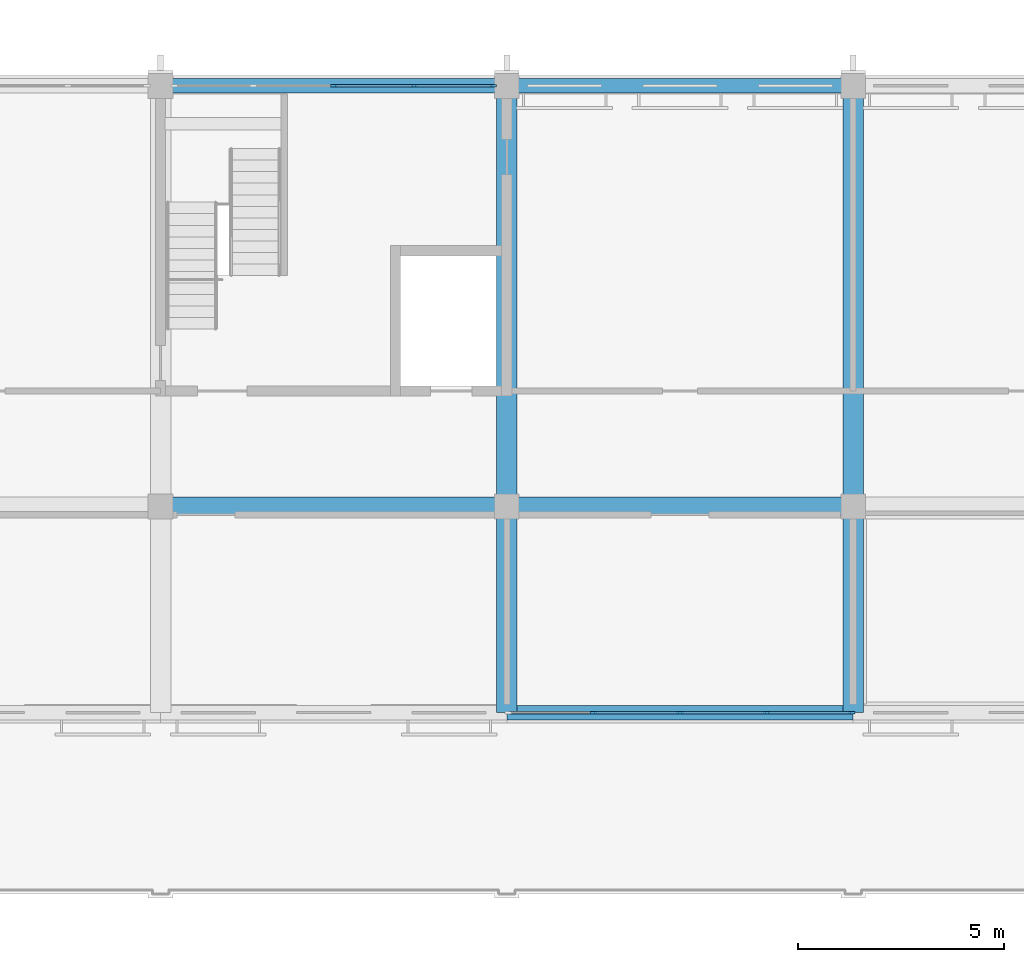
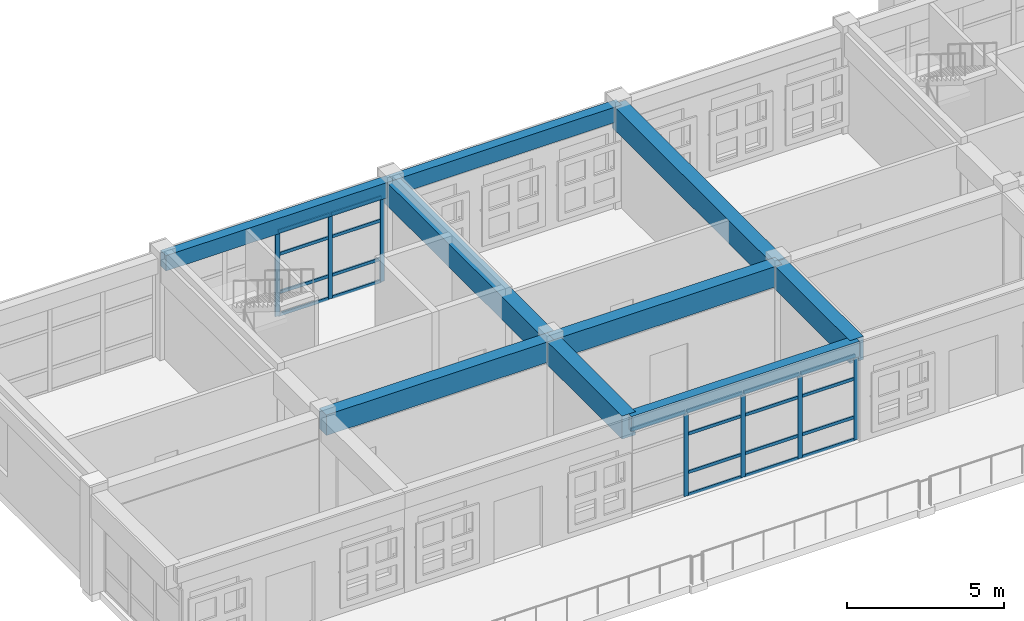
# One storey, part 17 of 71: 28 members, 9 beams, 2 elements without a shape of their own.
"""IFC4 building model written with IfcOpenShell, lengths in metres."""

import ifcopenshell
import ifcopenshell.guid

model = None  # the IFC model being written
_history = None  # IfcOwnerHistory: only IFC2X3 demands one
_inside = {}  # id of a spatial element -> (the spatial element, [elements in it])
_under = {}  # id of a project, library or spatial element -> (it, [spatial elements below it])
_declared = {}  # id of a project -> (the project, [libraries it declares])
_typed = {}  # id of a type object -> (the type object, [elements of that type])
_made_of = {}  # id of a material, layer set ... -> (it, [elements and type objects made of it])


def new_model(schema):
    """Start an empty IFC model of exactly this schema.

    Asked for "IFC4X3", IfcOpenShell would pick the latest addendum, in which some entities
    have other attributes; the version numbers below select the first issue.
    IFC2X3 requires an IfcOwnerHistory on every rooted entity: one is made here for all.
    """
    global model, _history
    if schema == "IFC4X3":
        model = ifcopenshell.file(schema_version=(4, 3, 0, 0))
    else:
        model = ifcopenshell.file(schema=schema)
    _inside.clear()
    _under.clear()
    _declared.clear()
    _typed.clear()
    _made_of.clear()
    _history = None
    if model.schema == "IFC2X3":
        org = make("IfcOrganization", Name="unknown")
        user = make(
            "IfcPersonAndOrganization",
            ThePerson=make("IfcPerson", FamilyName="unknown"),
            TheOrganization=org,
        )
        app = make(
            "IfcApplication",
            ApplicationDeveloper=org,
            Version="unknown",
            ApplicationFullName="unknown",
            ApplicationIdentifier="unknown",
        )
        _history = make(
            "IfcOwnerHistory",
            OwningUser=user,
            OwningApplication=app,
            ChangeAction="ADDED",
            CreationDate=0,
        )
    return model


def make(cls, **values):
    """One entity of the class cls with the attributes given. An attribute that is None is left unset."""
    return model.create_entity(
        cls, **{name: value for name, value in values.items() if value is not None}
    )


def rooted(cls, **values):
    """An entity with a GlobalId (a new one), such as an element, a storey or a relation."""
    return make(cls, GlobalId=ifcopenshell.guid.new(), OwnerHistory=_history, **values)


def si_unit(unit_type, name, prefix=None):
    """IfcSIUnit, for example si_unit("LENGTHUNIT", "METRE", prefix="MILLI")."""
    return make("IfcSIUnit", UnitType=unit_type, Prefix=prefix, Name=name)


def assignment(units):
    """IfcUnitAssignment: the units of a project."""
    return None if units is None else make("IfcUnitAssignment", Units=units)


def point(xyz):
    """IfcCartesianPoint."""
    return None if xyz is None else make("IfcCartesianPoint", Coordinates=xyz)


def direction(xyz):
    """IfcDirection."""
    return None if xyz is None else make("IfcDirection", DirectionRatios=xyz)


def frame(location, z_axis=None, x_axis=None):
    """IfcAxis2Placement3D, a coordinate frame: its origin and axes. An axis left out is left unset."""
    return make(
        "IfcAxis2Placement3D",
        Location=point(location),
        Axis=direction(z_axis),
        RefDirection=direction(x_axis),
    )


def frame_2d(location, x_axis=None):
    """IfcAxis2Placement2D, a coordinate frame in the plane: its origin and x axis."""
    return make(
        "IfcAxis2Placement2D", Location=point(location), RefDirection=direction(x_axis)
    )


def origin():
    """The frame at (0, 0, 0) with its axes left unset."""
    return frame((0.0, 0.0, 0.0))


def origin_2d():
    """The frame at (0, 0) in the plane with its x axis left unset."""
    return frame_2d((0.0, 0.0))


def place(relative_to, where):
    """IfcLocalPlacement: puts the frame where relative to a parent placement (None: the world)."""
    return make(
        "IfcLocalPlacement", PlacementRelTo=relative_to, RelativePlacement=where
    )


def context(
    kind, dimensions, precision=None, world=None, true_north=None, identifier=None
):
    """IfcGeometricRepresentationContext, for example the 3D "Model" context."""
    return make(
        "IfcGeometricRepresentationContext",
        ContextIdentifier=identifier,
        ContextType=kind,
        CoordinateSpaceDimension=dimensions,
        Precision=precision,
        WorldCoordinateSystem=world,
        TrueNorth=true_north,
    )


def subcontext(parent, identifier, kind, view, scale=None):
    """IfcGeometricRepresentationSubContext, for example "Body" below "Model"."""
    return make(
        "IfcGeometricRepresentationSubContext",
        ContextIdentifier=identifier,
        ContextType=kind,
        ParentContext=parent,
        TargetScale=scale,
        TargetView=view,
    )


def project(units=None, contexts=None):
    """IfcProject with its units and contexts."""
    return rooted(
        "IfcProject",
        Name="project",
        RepresentationContexts=contexts,
        UnitsInContext=assignment(units),
    )


def spatial(cls, under=None, at=None, **own):
    """A site, building, storey or space (cls), placed at a placement, below another one or the project."""
    s = rooted(cls, ObjectPlacement=at, **own)
    if under is not None:
        _under.setdefault(under.id(), (under, []))[1].append(s)
    return s


def profile(cls, at=None, kind="AREA", **sizes):
    """A parametric profile (cls). Its sizes go by their IFC names, for example OverallWidth=200.0."""
    return make(cls, ProfileType=kind, Position=at, **sizes)


def rectangle(**sizes):
    """IfcRectangleProfileDef."""
    return profile("IfcRectangleProfileDef", **sizes)


def extrude(swept, where, along, depth):
    """IfcExtrudedAreaSolid: the profile swept, set in the frame where, extruded along a direction by depth."""
    return make(
        "IfcExtrudedAreaSolid",
        SweptArea=swept,
        Position=where,
        ExtrudedDirection=direction(along),
        Depth=depth,
    )


def shape(context_of_items, identifier, shape_type, items):
    """IfcShapeRepresentation: the items that make up one representation, for example the "Body"."""
    return make(
        "IfcShapeRepresentation",
        ContextOfItems=context_of_items,
        RepresentationIdentifier=identifier,
        RepresentationType=shape_type,
        Items=items,
    )


def material(Name=None, Category=None):
    """IfcMaterial."""
    return make("IfcMaterial", Name=Name, Category=Category)


def layer(
    of_material, thickness, ventilated=None, Name=None, Category=None, Priority=None
):
    """IfcMaterialLayer: one layer of a wall or slab, of a material (None: an air gap)."""
    return make(
        "IfcMaterialLayer",
        Material=of_material,
        LayerThickness=thickness,
        IsVentilated=ventilated,
        Name=Name,
        Category=Category,
        Priority=Priority,
    )


def layer_set(layers, Name=None):
    """IfcMaterialLayerSet."""
    return make("IfcMaterialLayerSet", MaterialLayers=layers, LayerSetName=Name)


def material_profile(
    of_material, cross_section, Name=None, Category=None, Priority=None
):
    """IfcMaterialProfile: a cross section and its material."""
    return make(
        "IfcMaterialProfile",
        Name=Name,
        Material=of_material,
        Profile=cross_section,
        Priority=Priority,
        Category=Category,
    )


def profile_set(profiles, Name=None, composite=None):
    """IfcMaterialProfileSet."""
    return make(
        "IfcMaterialProfileSet",
        Name=Name,
        MaterialProfiles=profiles,
        CompositeProfile=composite,
    )


def made_of(thing, what):
    """Note that an element or type object is made of a material, layer set ...; save() writes the relation."""
    if what is not None:
        _made_of.setdefault(what.id(), (what, []))[1].append(thing)
    return thing


def type_object(cls, material=None, **own):
    """A type object (cls), such as IfcWallType, which elements share."""
    return made_of(rooted(cls, **own), material)


def element(
    cls,
    number,
    at=None,
    inside=None,
    cuts=None,
    type_object=None,
    material=None,
    context=None,
    identifier="Body",
    shape_type=None,
    held_by="IfcProductDefinitionShape",
    body=None,
    shapes=None,
    **own,
):
    """One element of the class cls, such as IfcWall. Its Tag is "e" and its number.

    at: its placement. inside: the storey or other place that contains it. cuts: it is an
    opening in that element (IfcRelVoidsElement). A single representation is given by context,
    identifier, shape_type and body (its items); several are given by shapes. held_by: the class
    of the entity that holds the representations. save() writes the other relations.
    """
    e = rooted(cls, Tag="e%d" % number, ObjectPlacement=at, **own)
    if body is not None:
        shapes = [shape(context, identifier, shape_type, body)]
    if shapes is not None:
        e.Representation = make(held_by, Representations=shapes)
    if inside is not None:
        _inside.setdefault(inside.id(), (inside, []))[1].append(e)
    if cuts is not None:
        rooted(
            "IfcRelVoidsElement", RelatingBuildingElement=cuts, RelatedOpeningElement=e
        )
    if type_object is not None:
        _typed.setdefault(type_object.id(), (type_object, []))[1].append(e)
    return made_of(e, material)


def aggregate(whole, parts):
    """IfcRelAggregates: a whole, such as a stair, and the parts it consists of."""
    return rooted("IfcRelAggregates", RelatingObject=whole, RelatedObjects=parts)


def save(model, path):
    """Write the relations noted so far, then the file.

    IfcRelAggregates (storeys below a building ...), IfcRelContainedInSpatialStructure (elements
    in a storey), IfcRelDefinesByType, IfcRelAssociatesMaterial and IfcRelDeclares: one each for
    every whole, place, type object, material and project.
    """
    for whole, parts in _under.values():
        aggregate(whole, parts)
    for where, things in _inside.values():
        rooted(
            "IfcRelContainedInSpatialStructure",
            RelatedElements=things,
            RelatingStructure=where,
        )
    for kind, things in _typed.values():
        rooted("IfcRelDefinesByType", RelatedObjects=things, RelatingType=kind)
    for what, things in _made_of.values():
        rooted("IfcRelAssociatesMaterial", RelatedObjects=things, RelatingMaterial=what)
    for by, libraries in _declared.values():
        rooted("IfcRelDeclares", RelatingContext=by, RelatedDefinitions=libraries)
    model.write(path)


model = new_model("IFC4")

# Units and contexts
model_context = context("Model", 3, precision=1e-05, world=origin(), true_north=direction((0.0, 1.0)))
body_context = subcontext(model_context, "Body", "Model", "MODEL_VIEW")
ifc_project = project(units=[si_unit("LENGTHUNIT", "METRE"), si_unit("AREAUNIT", "SQUARE_METRE"), si_unit("VOLUMEUNIT", "CUBIC_METRE"), si_unit("PLANEANGLEUNIT", "RADIAN"), si_unit("MASSUNIT", "GRAM", prefix="KILO")], contexts=[model_context])

# Site, building, storey
site_placement = place(None, origin())
site = spatial("IfcSite", under=ifc_project, at=site_placement, CompositionType="ELEMENT")
building_placement = place(site_placement, origin())
building = spatial("IfcBuilding", under=site, at=building_placement, Name="Wasatch Bagh Community Centre", CompositionType="ELEMENT")
storey_placement = place(building_placement, frame((0.0, 0.0, 12.60009765625)))
storey = spatial("IfcBuildingStorey", under=building, at=storey_placement, Name="L03", CompositionType="ELEMENT", Elevation=12.60009765625)

# Beams
ifc_material_1 = material(Name="Concrete C35", Category="concrete")
ifc_material_profile_1 = material_profile(ifc_material_1, rectangle(XDim=0.35009765625, YDim=0.60009765625, at=origin_2d()), Name="RC 350x600")
ifc_profile_set_1 = profile_set([ifc_material_profile_1], Name="Concrete C35")
beam_type_1 = type_object("IfcBeamType", Name="LW RC 350x600", PredefinedType="BEAM", material=ifc_profile_set_1)
beam_1_placement = place(storey_placement, frame((80.800048828125, 97.800048828125, 3.619873046875), z_axis=(1.0, 0.0, 0.0), x_axis=(0.0, 1.0, 0.0)))
element("IfcBeam", 1, at=beam_1_placement, inside=storey, type_object=beam_type_1, Name="W3-W4N", PredefinedType="BEAM", context=body_context, shape_type="SweptSolid", body=[
    extrude(rectangle(XDim=0.35009765625, YDim=0.60009765625, at=origin_2d()), origin(), (0.0, 0.0, 1.0), 8.39990234375),
])
for number, where, z_axis, x_axis, name in (
    (2, (89.199951171875, 97.800048828125, 3.619873046875), (1.0, 0.0, 0.0), (0.0, 1.0, 0.0), "W4-W5N"),
    (3, (89.199951171875, 82.60009765625, 3.619873046875), (1.0, 0.0, 0.0), (0.0, 1.0, 0.0), "W4-W5tip"),
):
    element("IfcBeam", number, at=place(storey_placement, frame(where, z_axis=z_axis, x_axis=x_axis)), inside=storey, type_object=beam_type_1, Name=name, PredefinedType="BEAM", context=body_context, shape_type="SweptSolid", body=[
        extrude(rectangle(XDim=0.35009765625, YDim=0.60009765625, at=origin_2d()), origin(), (0.0, 0.0, 1.0), 8.400146484375),
    ])
ifc_material_profile_2 = material_profile(ifc_material_1, rectangle(XDim=0.449951171875, YDim=0.800048828125, at=origin_2d()), Name="RC 450x800")
ifc_profile_set_2 = profile_set([ifc_material_profile_2], Name="Concrete C35")
beam_type_2 = type_object("IfcBeamType", Name="LW RC 450x800", PredefinedType="BEAM", material=ifc_profile_set_2)
beam_2_placement = place(storey_placement, frame((80.800048828125, 87.60009765625, 3.52001953125), z_axis=(1.0, 0.0, 0.0), x_axis=(0.0, 1.0, 0.0)))
element("IfcBeam", 4, at=beam_2_placement, inside=storey, type_object=beam_type_2, Name="W3-W4M", PredefinedType="BEAM", context=body_context, shape_type="SweptSolid", body=[
    extrude(rectangle(XDim=0.449951171875, YDim=0.800048828125, at=origin_2d()), origin(), (0.0, 0.0, 1.0), 8.39990234375),
])
beam_3_placement = place(storey_placement, frame((89.199951171875, 87.60009765625, 3.52001953125), z_axis=(1.0, 0.0, 0.0), x_axis=(0.0, 1.0, 0.0)))
element("IfcBeam", 5, at=beam_3_placement, inside=storey, type_object=beam_type_2, Name="W4-W5M", PredefinedType="BEAM", context=body_context, shape_type="SweptSolid", body=[
    extrude(rectangle(XDim=0.449951171875, YDim=0.800048828125, at=origin_2d()), origin(), (0.0, 0.0, 1.0), 8.400146484375),
])
ifc_material_profile_3 = material_profile(ifc_material_1, rectangle(XDim=0.5, YDim=0.89990234375, at=origin_2d()), Name="RC 500x900")
ifc_profile_set_3 = profile_set([ifc_material_profile_3], Name="Concrete C35")
beam_type_3 = type_object("IfcBeamType", Name="LW RC 500x900", PredefinedType="BEAM", material=ifc_profile_set_3)
for number, where, z_axis, x_axis, name in (
    (6, (89.199951171875, 87.60009765625, 3.469970703125), (0.0, 1.0, 0.0), (-1.0, 0.0, 0.0), "W4M-N"),
    (7, (97.60009765625, 87.60009765625, 3.469970703125), (0.0, 1.0, 0.0), (-1.0, 0.0, 0.0), "W5M-N"),
):
    element("IfcBeam", number, at=place(storey_placement, frame(where, z_axis=z_axis, x_axis=x_axis)), inside=storey, type_object=beam_type_3, Name=name, PredefinedType="BEAM", context=body_context, shape_type="SweptSolid", body=[
        extrude(rectangle(XDim=0.5, YDim=0.89990234375, at=origin_2d()), origin(), (0.0, 0.0, 1.0), 10.199951171875),
    ])
for number, where, z_axis, x_axis, name in (
    (8, (89.199951171875, 87.60009765625, 3.469970703125), (0.0, -1.0, 0.0), (1.0, 0.0, 0.0), "W4M-tip"),
    (9, (97.60009765625, 87.60009765625, 3.469970703125), (0.0, -1.0, 0.0), (1.0, 0.0, 0.0), "W5M-tip"),
):
    element("IfcBeam", number, at=place(storey_placement, frame(where, z_axis=z_axis, x_axis=x_axis)), inside=storey, type_object=beam_type_3, Name=name, PredefinedType="BEAM", context=body_context, shape_type="SweptSolid", body=[
        extrude(rectangle(XDim=0.5, YDim=0.89990234375, at=origin_2d()), origin(), (0.0, 0.0, 1.0), 5.0),
    ])

# Curtain wall, members
ifc_material_2 = material(Name="Aluminium curtain wall frame with low-iron glass", Category="aluminium")
ifc_layer_1 = layer(ifc_material_2, 0.10009765625)
ifc_layer_set_1 = layer_set([ifc_layer_1], Name="Aluminium curtain wall frame with low-iron glass")
curtain_wall_type_1 = type_object("IfcCurtainWallType", Name="LW curtain wall 100", PredefinedType="NOTDEFINED", material=ifc_layer_set_1)
curtain_wall_1_placement = place(storey_placement, origin())
curtain_wall_1 = element("IfcCurtainWall", 10, at=curtain_wall_1_placement, inside=storey, type_object=curtain_wall_type_1, Name="Curtain wall 03.03", PredefinedType="NOTDEFINED")
ifc_material_3 = material(Name="Aluminium extrusion", Category="aluminium")
ifc_material_profile_4 = material_profile(ifc_material_3, rectangle(XDim=0.06005859375, YDim=0.159912109375, at=origin_2d()), Name="AL 60x160")
ifc_profile_set_4 = profile_set([ifc_material_profile_4], Name="Aluminium extrusion")
member_type_1 = type_object("IfcMemberType", Name="LW curtain wall mullion 60x160", PredefinedType="MULLION", material=ifc_profile_set_4)
member_1_placement = place(storey_placement, frame((85.0, 97.800048828125, 0.0), z_axis=(0.0, 0.0, 1.0), x_axis=(0.0, 1.0, 0.0)))
member_1 = element("IfcMember", 11, at=member_1_placement, type_object=member_type_1, Name="LW-CW1 mullion 3", PredefinedType="MULLION", context=body_context, shape_type="SweptSolid", body=[
    extrude(rectangle(XDim=0.06005859375, YDim=0.159912109375, at=origin_2d()), origin(), (0.0, 0.0, 1.0), 3.31982421875),
])
member_2_placement = place(storey_placement, frame((86.949951171875, 97.800048828125, 0.0), z_axis=(0.0, 0.0, 1.0), x_axis=(0.0, 1.0, 0.0)))
member_2 = element("IfcMember", 12, at=member_2_placement, type_object=member_type_1, Name="LW-CW1 mullion 4", PredefinedType="MULLION", context=body_context, shape_type="SweptSolid", body=[
    extrude(rectangle(XDim=0.06005859375, YDim=0.159912109375, at=origin_2d()), origin(), (0.0, 0.0, 1.0), 3.31982421875),
])
member_3_placement = place(storey_placement, frame((88.8701171875, 97.800048828125, 0.0), z_axis=(0.0, 0.0, 1.0), x_axis=(0.0, 1.0, 0.0)))
member_3 = element("IfcMember", 13, at=member_3_placement, type_object=member_type_1, Name="LW-CW1 mullion 5", PredefinedType="MULLION", context=body_context, shape_type="SweptSolid", body=[
    extrude(rectangle(XDim=0.06005859375, YDim=0.159912109375, at=origin_2d()), origin(), (0.0, 0.0, 1.0), 3.31982421875),
])

ifc_layer_2 = layer(ifc_material_2, 0.139892578125)
ifc_layer_set_2 = layer_set([ifc_layer_2], Name="Aluminium curtain wall frame with low-iron glass")
curtain_wall_type_2 = type_object("IfcCurtainWallType", Name="LW terrace front curtain wall 140", PredefinedType="NOTDEFINED", material=ifc_layer_set_2)
curtain_wall_2_placement = place(storey_placement, origin())
curtain_wall_2 = element("IfcCurtainWall", 14, at=curtain_wall_2_placement, inside=storey, type_object=curtain_wall_type_2, Name="Curtain wall 03.01", PredefinedType="NOTDEFINED")
ifc_material_profile_5 = material_profile(ifc_material_3, rectangle(XDim=0.06005859375, YDim=0.159912109375, at=origin_2d()), Name="AL 60x160")
ifc_profile_set_5 = profile_set([ifc_material_profile_5], Name="Aluminium extrusion")
member_type_2 = type_object("IfcMemberType", Name="LW curtain wall mullion 60x160 LW-CW3", PredefinedType="MULLION", material=ifc_profile_set_5)
member_4_placement = place(storey_placement, frame((91.300048828125, 82.60009765625, 0.0), z_axis=(0.0, 0.0, 1.0), x_axis=(0.0, 1.0, 0.0)))
member_4 = element("IfcMember", 15, at=member_4_placement, type_object=member_type_2, Name="LW-CW3 mullion 2", PredefinedType="MULLION", context=body_context, shape_type="SweptSolid", body=[
    extrude(rectangle(XDim=0.06005859375, YDim=0.159912109375, at=origin_2d()), origin(), (0.0, 0.0, 1.0), 3.31982421875),
])
member_5_placement = place(storey_placement, frame((93.39990234375, 82.60009765625, 0.0), z_axis=(0.0, 0.0, 1.0), x_axis=(0.0, 1.0, 0.0)))
member_5 = element("IfcMember", 16, at=member_5_placement, type_object=member_type_2, Name="LW-CW3 mullion 3", PredefinedType="MULLION", context=body_context, shape_type="SweptSolid", body=[
    extrude(rectangle(XDim=0.06005859375, YDim=0.159912109375, at=origin_2d()), origin(), (0.0, 0.0, 1.0), 3.31982421875),
])
member_6_placement = place(storey_placement, frame((95.5, 82.60009765625, 0.0), z_axis=(0.0, 0.0, 1.0), x_axis=(0.0, 1.0, 0.0)))
member_6 = element("IfcMember", 17, at=member_6_placement, type_object=member_type_2, Name="LW-CW3 mullion 4", PredefinedType="MULLION", context=body_context, shape_type="SweptSolid", body=[
    extrude(rectangle(XDim=0.06005859375, YDim=0.159912109375, at=origin_2d()), origin(), (0.0, 0.0, 1.0), 3.31982421875),
])
member_7_placement = place(storey_placement, frame((97.570068359375, 82.60009765625, 0.0), z_axis=(0.0, 0.0, 1.0), x_axis=(0.0, 1.0, 0.0)))
member_7 = element("IfcMember", 18, at=member_7_placement, type_object=member_type_2, Name="LW-CW3 mullion 5", PredefinedType="MULLION", context=body_context, shape_type="SweptSolid", body=[
    extrude(rectangle(XDim=0.06005859375, YDim=0.159912109375, at=origin_2d()), origin(), (0.0, 0.0, 1.0), 3.31982421875),
])

# Member
ifc_material_profile_6 = material_profile(ifc_material_3, rectangle(XDim=0.06005859375, YDim=0.1201171875, at=origin_2d()), Name="AL 60x120")
ifc_profile_set_6 = profile_set([ifc_material_profile_6], Name="Aluminium extrusion")
member_type_3 = type_object("IfcMemberType", Name="LW curtain wall transom 60x120", PredefinedType="USERDEFINED", material=ifc_profile_set_6)
member_8_placement = place(storey_placement, frame((85.030029296875, 97.800048828125, 0.02978515625), z_axis=(1.0, 0.0, 0.0), x_axis=(0.0, 1.0, 0.0)))
member_8 = element("IfcMember", 19, at=member_8_placement, type_object=member_type_3, Name="LW-CW1 transom 3.1", ObjectType="TRANSOM", PredefinedType="USERDEFINED", context=body_context, shape_type="SweptSolid", body=[
    extrude(rectangle(XDim=0.06005859375, YDim=0.1201171875, at=origin_2d()), origin(), (0.0, 0.0, 1.0), 1.889892578125),
])

member_9_placement = place(storey_placement, frame((85.030029296875, 97.800048828125, 0.89990234375), z_axis=(1.0, 0.0, 0.0), x_axis=(0.0, 1.0, 0.0)))
member_9 = element("IfcMember", 20, at=member_9_placement, type_object=member_type_3, Name="LW-CW1 transom 3.2", ObjectType="TRANSOM", PredefinedType="USERDEFINED", context=body_context, shape_type="SweptSolid", body=[
    extrude(rectangle(XDim=0.06005859375, YDim=0.1201171875, at=origin_2d()), origin(), (0.0, 0.0, 1.0), 1.889892578125),
])

member_10_placement = place(storey_placement, frame((85.030029296875, 97.800048828125, 2.39990234375), z_axis=(1.0, 0.0, 0.0), x_axis=(0.0, 1.0, 0.0)))
member_10 = element("IfcMember", 21, at=member_10_placement, type_object=member_type_3, Name="LW-CW1 transom 3.3", ObjectType="TRANSOM", PredefinedType="USERDEFINED", context=body_context, shape_type="SweptSolid", body=[
    extrude(rectangle(XDim=0.06005859375, YDim=0.1201171875, at=origin_2d()), origin(), (0.0, 0.0, 1.0), 1.889892578125),
])

member_11_placement = place(storey_placement, frame((85.030029296875, 97.800048828125, 3.289794921875), z_axis=(1.0, 0.0, 0.0), x_axis=(0.0, 1.0, 0.0)))
member_11 = element("IfcMember", 22, at=member_11_placement, type_object=member_type_3, Name="LW-CW1 transom 3.4", ObjectType="TRANSOM", PredefinedType="USERDEFINED", context=body_context, shape_type="SweptSolid", body=[
    extrude(rectangle(XDim=0.06005859375, YDim=0.1201171875, at=origin_2d()), origin(), (0.0, 0.0, 1.0), 1.889892578125),
])

member_12_placement = place(storey_placement, frame((86.97998046875, 97.800048828125, 0.02978515625), z_axis=(1.0, 0.0, 0.0), x_axis=(0.0, 1.0, 0.0)))
member_12 = element("IfcMember", 23, at=member_12_placement, type_object=member_type_3, Name="LW-CW1 transom 4.1", ObjectType="TRANSOM", PredefinedType="USERDEFINED", context=body_context, shape_type="SweptSolid", body=[
    extrude(rectangle(XDim=0.06005859375, YDim=0.1201171875, at=origin_2d()), origin(), (0.0, 0.0, 1.0), 1.860107421875),
])

member_13_placement = place(storey_placement, frame((86.97998046875, 97.800048828125, 0.89990234375), z_axis=(1.0, 0.0, 0.0), x_axis=(0.0, 1.0, 0.0)))
member_13 = element("IfcMember", 24, at=member_13_placement, type_object=member_type_3, Name="LW-CW1 transom 4.2", ObjectType="TRANSOM", PredefinedType="USERDEFINED", context=body_context, shape_type="SweptSolid", body=[
    extrude(rectangle(XDim=0.06005859375, YDim=0.1201171875, at=origin_2d()), origin(), (0.0, 0.0, 1.0), 1.860107421875),
])

member_14_placement = place(storey_placement, frame((86.97998046875, 97.800048828125, 2.39990234375), z_axis=(1.0, 0.0, 0.0), x_axis=(0.0, 1.0, 0.0)))
member_14 = element("IfcMember", 25, at=member_14_placement, type_object=member_type_3, Name="LW-CW1 transom 4.3", ObjectType="TRANSOM", PredefinedType="USERDEFINED", context=body_context, shape_type="SweptSolid", body=[
    extrude(rectangle(XDim=0.06005859375, YDim=0.1201171875, at=origin_2d()), origin(), (0.0, 0.0, 1.0), 1.860107421875),
])

member_15_placement = place(storey_placement, frame((86.97998046875, 97.800048828125, 3.289794921875), z_axis=(1.0, 0.0, 0.0), x_axis=(0.0, 1.0, 0.0)))
member_15 = element("IfcMember", 26, at=member_15_placement, type_object=member_type_3, Name="LW-CW1 transom 4.4", ObjectType="TRANSOM", PredefinedType="USERDEFINED", context=body_context, shape_type="SweptSolid", body=[
    extrude(rectangle(XDim=0.06005859375, YDim=0.1201171875, at=origin_2d()), origin(), (0.0, 0.0, 1.0), 1.860107421875),
])

aggregate(curtain_wall_1, [member_1, member_2, member_3, member_8, member_9, member_10, member_11, member_12, member_13, member_14, member_15])

ifc_material_profile_7 = material_profile(ifc_material_3, rectangle(XDim=0.06005859375, YDim=0.1201171875, at=origin_2d()), Name="AL 60x120")
ifc_profile_set_7 = profile_set([ifc_material_profile_7], Name="Aluminium extrusion")
member_type_4 = type_object("IfcMemberType", Name="LW curtain wall transom 60x120 LW-CW3", PredefinedType="USERDEFINED", material=ifc_profile_set_7)
member_16_placement = place(storey_placement, frame((89.260009765625, 82.60009765625, 3.289794921875), z_axis=(1.0, 0.0, 0.0), x_axis=(0.0, 1.0, 0.0)))
member_16 = element("IfcMember", 27, at=member_16_placement, type_object=member_type_4, Name="LW-CW3 transom 1.4", ObjectType="TRANSOM", PredefinedType="USERDEFINED", context=body_context, shape_type="SweptSolid", body=[
    extrude(rectangle(XDim=0.06005859375, YDim=0.1201171875, at=origin_2d()), origin(), (0.0, 0.0, 1.0), 2.010009765625),
])

member_17_placement = place(storey_placement, frame((91.330078125, 82.60009765625, 0.02978515625), z_axis=(1.0, 0.0, 0.0), x_axis=(0.0, 1.0, 0.0)))
member_17 = element("IfcMember", 28, at=member_17_placement, type_object=member_type_4, Name="LW-CW3 transom 2.1", ObjectType="TRANSOM", PredefinedType="USERDEFINED", context=body_context, shape_type="SweptSolid", body=[
    extrude(rectangle(XDim=0.06005859375, YDim=0.1201171875, at=origin_2d()), origin(), (0.0, 0.0, 1.0), 2.0400390625),
])

member_18_placement = place(storey_placement, frame((91.330078125, 82.60009765625, 0.89990234375), z_axis=(1.0, 0.0, 0.0), x_axis=(0.0, 1.0, 0.0)))
member_18 = element("IfcMember", 29, at=member_18_placement, type_object=member_type_4, Name="LW-CW3 transom 2.2", ObjectType="TRANSOM", PredefinedType="USERDEFINED", context=body_context, shape_type="SweptSolid", body=[
    extrude(rectangle(XDim=0.06005859375, YDim=0.1201171875, at=origin_2d()), origin(), (0.0, 0.0, 1.0), 2.0400390625),
])

member_19_placement = place(storey_placement, frame((91.330078125, 82.60009765625, 2.39990234375), z_axis=(1.0, 0.0, 0.0), x_axis=(0.0, 1.0, 0.0)))
member_19 = element("IfcMember", 30, at=member_19_placement, type_object=member_type_4, Name="LW-CW3 transom 2.3", ObjectType="TRANSOM", PredefinedType="USERDEFINED", context=body_context, shape_type="SweptSolid", body=[
    extrude(rectangle(XDim=0.06005859375, YDim=0.1201171875, at=origin_2d()), origin(), (0.0, 0.0, 1.0), 2.0400390625),
])

member_20_placement = place(storey_placement, frame((91.330078125, 82.60009765625, 3.289794921875), z_axis=(1.0, 0.0, 0.0), x_axis=(0.0, 1.0, 0.0)))
member_20 = element("IfcMember", 31, at=member_20_placement, type_object=member_type_4, Name="LW-CW3 transom 2.4", ObjectType="TRANSOM", PredefinedType="USERDEFINED", context=body_context, shape_type="SweptSolid", body=[
    extrude(rectangle(XDim=0.06005859375, YDim=0.1201171875, at=origin_2d()), origin(), (0.0, 0.0, 1.0), 2.0400390625),
])

member_21_placement = place(storey_placement, frame((93.429931640625, 82.60009765625, 0.02978515625), z_axis=(1.0, 0.0, 0.0), x_axis=(0.0, 1.0, 0.0)))
member_21 = element("IfcMember", 32, at=member_21_placement, type_object=member_type_4, Name="LW-CW3 transom 3.1", ObjectType="TRANSOM", PredefinedType="USERDEFINED", context=body_context, shape_type="SweptSolid", body=[
    extrude(rectangle(XDim=0.06005859375, YDim=0.1201171875, at=origin_2d()), origin(), (0.0, 0.0, 1.0), 2.0400390625),
])

member_22_placement = place(storey_placement, frame((93.429931640625, 82.60009765625, 0.89990234375), z_axis=(1.0, 0.0, 0.0), x_axis=(0.0, 1.0, 0.0)))
member_22 = element("IfcMember", 33, at=member_22_placement, type_object=member_type_4, Name="LW-CW3 transom 3.2", ObjectType="TRANSOM", PredefinedType="USERDEFINED", context=body_context, shape_type="SweptSolid", body=[
    extrude(rectangle(XDim=0.06005859375, YDim=0.1201171875, at=origin_2d()), origin(), (0.0, 0.0, 1.0), 2.0400390625),
])

member_23_placement = place(storey_placement, frame((93.429931640625, 82.60009765625, 2.39990234375), z_axis=(1.0, 0.0, 0.0), x_axis=(0.0, 1.0, 0.0)))
member_23 = element("IfcMember", 34, at=member_23_placement, type_object=member_type_4, Name="LW-CW3 transom 3.3", ObjectType="TRANSOM", PredefinedType="USERDEFINED", context=body_context, shape_type="SweptSolid", body=[
    extrude(rectangle(XDim=0.06005859375, YDim=0.1201171875, at=origin_2d()), origin(), (0.0, 0.0, 1.0), 2.0400390625),
])

member_24_placement = place(storey_placement, frame((93.429931640625, 82.60009765625, 3.289794921875), z_axis=(1.0, 0.0, 0.0), x_axis=(0.0, 1.0, 0.0)))
member_24 = element("IfcMember", 35, at=member_24_placement, type_object=member_type_4, Name="LW-CW3 transom 3.4", ObjectType="TRANSOM", PredefinedType="USERDEFINED", context=body_context, shape_type="SweptSolid", body=[
    extrude(rectangle(XDim=0.06005859375, YDim=0.1201171875, at=origin_2d()), origin(), (0.0, 0.0, 1.0), 2.0400390625),
])

member_25_placement = place(storey_placement, frame((95.530029296875, 82.60009765625, 0.02978515625), z_axis=(1.0, 0.0, 0.0), x_axis=(0.0, 1.0, 0.0)))
member_25 = element("IfcMember", 36, at=member_25_placement, type_object=member_type_4, Name="LW-CW3 transom 4.1", ObjectType="TRANSOM", PredefinedType="USERDEFINED", context=body_context, shape_type="SweptSolid", body=[
    extrude(rectangle(XDim=0.06005859375, YDim=0.1201171875, at=origin_2d()), origin(), (0.0, 0.0, 1.0), 2.010009765625),
])

member_26_placement = place(storey_placement, frame((95.530029296875, 82.60009765625, 0.89990234375), z_axis=(1.0, 0.0, 0.0), x_axis=(0.0, 1.0, 0.0)))
member_26 = element("IfcMember", 37, at=member_26_placement, type_object=member_type_4, Name="LW-CW3 transom 4.2", ObjectType="TRANSOM", PredefinedType="USERDEFINED", context=body_context, shape_type="SweptSolid", body=[
    extrude(rectangle(XDim=0.06005859375, YDim=0.1201171875, at=origin_2d()), origin(), (0.0, 0.0, 1.0), 2.010009765625),
])

member_27_placement = place(storey_placement, frame((95.530029296875, 82.60009765625, 2.39990234375), z_axis=(1.0, 0.0, 0.0), x_axis=(0.0, 1.0, 0.0)))
member_27 = element("IfcMember", 38, at=member_27_placement, type_object=member_type_4, Name="LW-CW3 transom 4.3", ObjectType="TRANSOM", PredefinedType="USERDEFINED", context=body_context, shape_type="SweptSolid", body=[
    extrude(rectangle(XDim=0.06005859375, YDim=0.1201171875, at=origin_2d()), origin(), (0.0, 0.0, 1.0), 2.010009765625),
])

member_28_placement = place(storey_placement, frame((95.530029296875, 82.60009765625, 3.289794921875), z_axis=(1.0, 0.0, 0.0), x_axis=(0.0, 1.0, 0.0)))
member_28 = element("IfcMember", 39, at=member_28_placement, type_object=member_type_4, Name="LW-CW3 transom 4.4", ObjectType="TRANSOM", PredefinedType="USERDEFINED", context=body_context, shape_type="SweptSolid", body=[
    extrude(rectangle(XDim=0.06005859375, YDim=0.1201171875, at=origin_2d()), origin(), (0.0, 0.0, 1.0), 2.010009765625),
])

aggregate(curtain_wall_2, [member_4, member_5, member_6, member_7, member_16, member_17, member_18, member_19, member_20, member_21, member_22, member_23, member_24, member_25, member_26, member_27, member_28])

save(model, "model.ifc")
